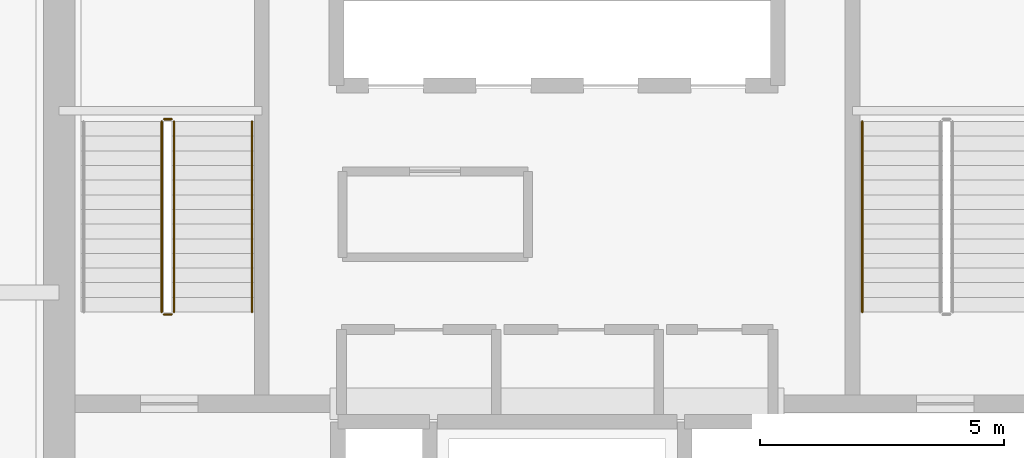
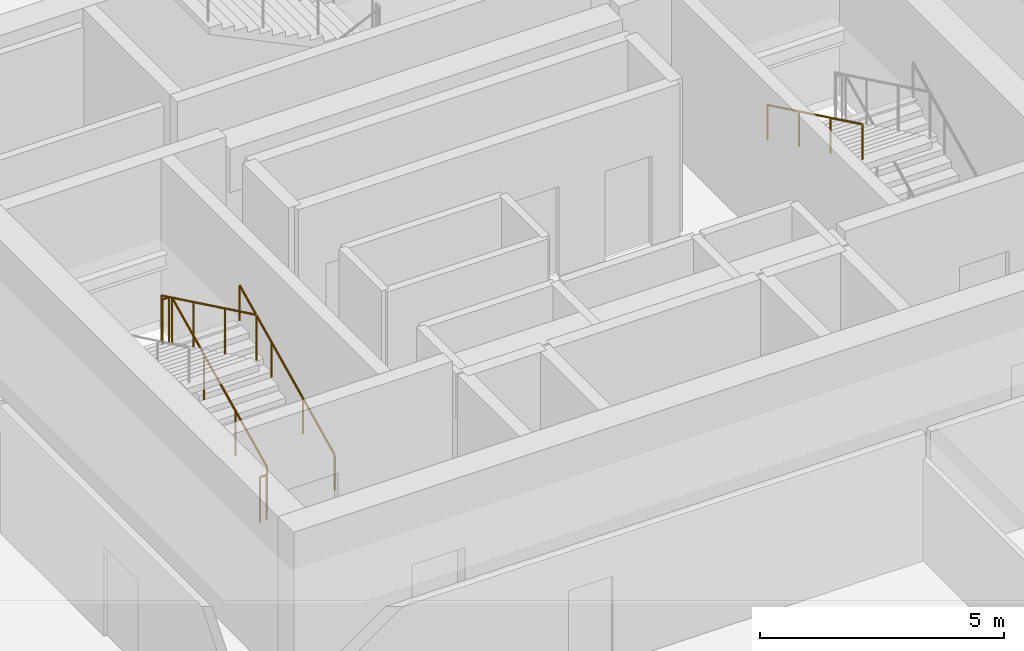
# One storey, part 33 of 36: 6 railings.
"""IFC4 building model written with IfcOpenShell, lengths in metres."""

from ifc_helpers import new_model, si_unit, direction, frame, origin, origin_2d, place, context, subcontext, project, spatial, circle, extrude, material, type_object, element, save


model = new_model("IFC4")

# Units and contexts
model_context = context("Model", 3, precision=1e-05, world=origin(), true_north=direction((0.0, 1.0)))
body_context = subcontext(model_context, "Body", "Model", "MODEL_VIEW")
ifc_project = project(units=[si_unit("LENGTHUNIT", "METRE"), si_unit("AREAUNIT", "SQUARE_METRE"), si_unit("VOLUMEUNIT", "CUBIC_METRE"), si_unit("PLANEANGLEUNIT", "RADIAN"), si_unit("MASSUNIT", "GRAM", prefix="KILO")], contexts=[model_context])

# Site, building, storey
site_placement = place(None, origin())
site = spatial("IfcSite", under=ifc_project, at=site_placement, CompositionType="ELEMENT")
building_placement = place(site_placement, origin())
building = spatial("IfcBuilding", under=site, at=building_placement, Name="Punatoya Terracotta Tower", CompositionType="ELEMENT")
storey_placement = place(building_placement, frame((0.0, 0.0, 176.25)))
storey = spatial("IfcBuildingStorey", under=building, at=storey_placement, Name="L41", CompositionType="ELEMENT", Elevation=176.25)

# Railings
ifc_material = material(Name="Steel S355", Category="steel")
railing_type_1 = type_object("IfcRailingType", Name="RLG-GRD-1150", PredefinedType="GUARDRAIL", material=ifc_material)
railing_1_placement = place(storey_placement, frame((-7.85009765625, -3.800048828125, 0.14453125)))
element("IfcRailing", 1, at=railing_1_placement, inside=storey, type_object=railing_type_1, Name="L41 ST-1 stair guard 1", PredefinedType="GUARDRAIL", context=body_context, shape_type="SweptSolid", body=[
    extrude(circle(Radius=0.02392578125, at=origin_2d()), frame((0.0, 0.0, 1.1259765625), z_axis=(0.0, 0.900773802044, 0.434288564841), x_axis=(-1.0, 0.0, 0.0)), (0.0, 0.0, 1.0), 4.329833984375),
    extrude(circle(Radius=0.02099609375, at=origin_2d()), origin(), (0.0, 0.0, 1.0), 1.101806640625),
    extrude(circle(Radius=0.02099609375, at=origin_2d()), frame((0.0, 1.300048828125, 0.626708984375)), (0.0, 0.0, 1.0), 1.101806640625),
    extrude(circle(Radius=0.02099609375, at=origin_2d()), frame((0.0, 2.60009765625, 1.253662109375)), (0.0, 0.0, 1.0), 1.101806640625),
    extrude(circle(Radius=0.02099609375, at=origin_2d()), frame((0.0, 3.900146484375, 1.88037109375)), (0.0, 0.0, 1.0), 1.101806640625),
])
railing_2_placement = place(storey_placement, frame((-7.89990234375, 0.14990234375, 2.02490234375)))
element("IfcRailing", 2, at=railing_2_placement, inside=storey, type_object=railing_type_1, Name="L41 ST-1 stair guard 2", PredefinedType="GUARDRAIL", context=body_context, shape_type="SweptSolid", body=[
    extrude(circle(Radius=0.02392578125, at=origin_2d()), frame((0.0, 0.0, 1.1259765625), z_axis=(-1.0, 0.0, 0.0), x_axis=(0.0, -1.0, 0.0)), (0.0, 0.0, 1.0), 0.150146484375),
    extrude(circle(Radius=0.02099609375, at=origin_2d()), origin(), (0.0, 0.0, 1.0), 1.101806640625),
    extrude(circle(Radius=0.02099609375, at=origin_2d()), frame((-0.150146484375, 0.0, 0.0)), (0.0, 0.0, 1.0), 1.101806640625),
])
railing_3_placement = place(storey_placement, frame((-8.10009765625, 0.10009765625, 2.169677734375)))
element("IfcRailing", 3, at=railing_3_placement, inside=storey, type_object=railing_type_1, Name="L41 ST-1 stair guard 3", PredefinedType="GUARDRAIL", context=body_context, shape_type="SweptSolid", body=[
    extrude(circle(Radius=0.02392578125, at=origin_2d()), frame((0.0, 0.0, 1.1259765625), z_axis=(0.0, -0.900773802044, 0.434288564841), x_axis=(1.0, 0.0, 0.0)), (0.0, 0.0, 1.0), 4.329833984375),
    extrude(circle(Radius=0.02099609375, at=origin_2d()), origin(), (0.0, 0.0, 1.0), 1.101806640625),
    extrude(circle(Radius=0.02099609375, at=origin_2d()), frame((0.0, -1.300048828125, 0.626708984375)), (0.0, 0.0, 1.0), 1.101806640625),
    extrude(circle(Radius=0.02099609375, at=origin_2d()), frame((0.0, -2.60009765625, 1.253662109375)), (0.0, 0.0, 1.0), 1.101806640625),
    extrude(circle(Radius=0.02099609375, at=origin_2d()), frame((0.0, -3.900146484375, 1.88037109375)), (0.0, 0.0, 1.0), 1.101806640625),
])
railing_4_placement = place(storey_placement, frame((-7.89990234375, -3.85009765625, 0.0)))
element("IfcRailing", 4, at=railing_4_placement, inside=storey, type_object=railing_type_1, Name="L41 ST-1 stair guard 4", PredefinedType="GUARDRAIL", context=body_context, shape_type="SweptSolid", body=[
    extrude(circle(Radius=0.02392578125, at=origin_2d()), frame((0.0, 0.0, 1.1259765625), z_axis=(-1.0, 0.0, 0.0), x_axis=(0.0, -1.0, 0.0)), (0.0, 0.0, 1.0), 0.150146484375),
    extrude(circle(Radius=0.02099609375, at=origin_2d()), origin(), (0.0, 0.0, 1.0), 1.101806640625),
    extrude(circle(Radius=0.02099609375, at=origin_2d()), frame((-0.150146484375, 0.0, 0.0)), (0.0, 0.0, 1.0), 1.101806640625),
])
railing_type_2 = type_object("IfcRailingType", Name="RLG-HND-900", PredefinedType="HANDRAIL", material=ifc_material)
railing_5_placement = place(storey_placement, frame((-6.25, -3.800048828125, 0.14453125)))
element("IfcRailing", 5, at=railing_5_placement, inside=storey, type_object=railing_type_2, Name="L41 ST-1 stair handrail 1", PredefinedType="HANDRAIL", context=body_context, shape_type="SweptSolid", body=[
    extrude(circle(Radius=0.02392578125, at=origin_2d()), frame((0.0, 0.0, 0.8759765625), z_axis=(0.0, 0.900773802044, 0.434288564841), x_axis=(-1.0, 0.0, 0.0)), (0.0, 0.0, 1.0), 4.329833984375),
    extrude(circle(Radius=0.02099609375, at=origin_2d()), origin(), (0.0, 0.0, 1.0), 0.851806640625),
    extrude(circle(Radius=0.02099609375, at=origin_2d()), frame((0.0, 1.300048828125, 0.626708984375)), (0.0, 0.0, 1.0), 0.851806640625),
    extrude(circle(Radius=0.02099609375, at=origin_2d()), frame((0.0, 2.60009765625, 1.253662109375)), (0.0, 0.0, 1.0), 0.851806640625),
    extrude(circle(Radius=0.02099609375, at=origin_2d()), frame((0.0, 3.900146484375, 1.88037109375)), (0.0, 0.0, 1.0), 0.851806640625),
])
railing_6_placement = place(storey_placement, frame((6.25, 0.10009765625, 2.169677734375)))
element("IfcRailing", 6, at=railing_6_placement, inside=storey, type_object=railing_type_2, Name="L41 ST-2 stair handrail 2", PredefinedType="HANDRAIL", context=body_context, shape_type="SweptSolid", body=[
    extrude(circle(Radius=0.02392578125, at=origin_2d()), frame((0.0, 0.0, 0.8759765625), z_axis=(0.0, -0.900773802044, 0.434288564841), x_axis=(1.0, 0.0, 0.0)), (0.0, 0.0, 1.0), 4.329833984375),
    extrude(circle(Radius=0.02099609375, at=origin_2d()), origin(), (0.0, 0.0, 1.0), 0.851806640625),
    extrude(circle(Radius=0.02099609375, at=origin_2d()), frame((0.0, -1.300048828125, 0.626708984375)), (0.0, 0.0, 1.0), 0.851806640625),
    extrude(circle(Radius=0.02099609375, at=origin_2d()), frame((0.0, -2.60009765625, 1.253662109375)), (0.0, 0.0, 1.0), 0.851806640625),
    extrude(circle(Radius=0.02099609375, at=origin_2d()), frame((0.0, -3.900146484375, 1.88037109375)), (0.0, 0.0, 1.0), 0.851806640625),
])

save(model, "model.ifc")
